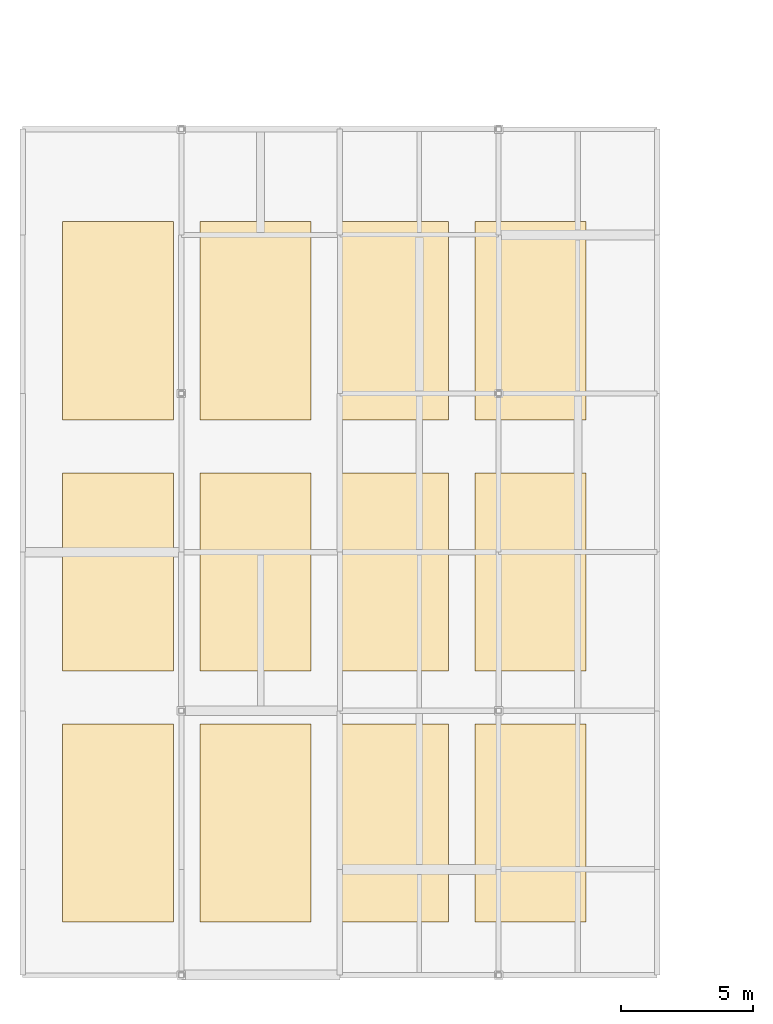
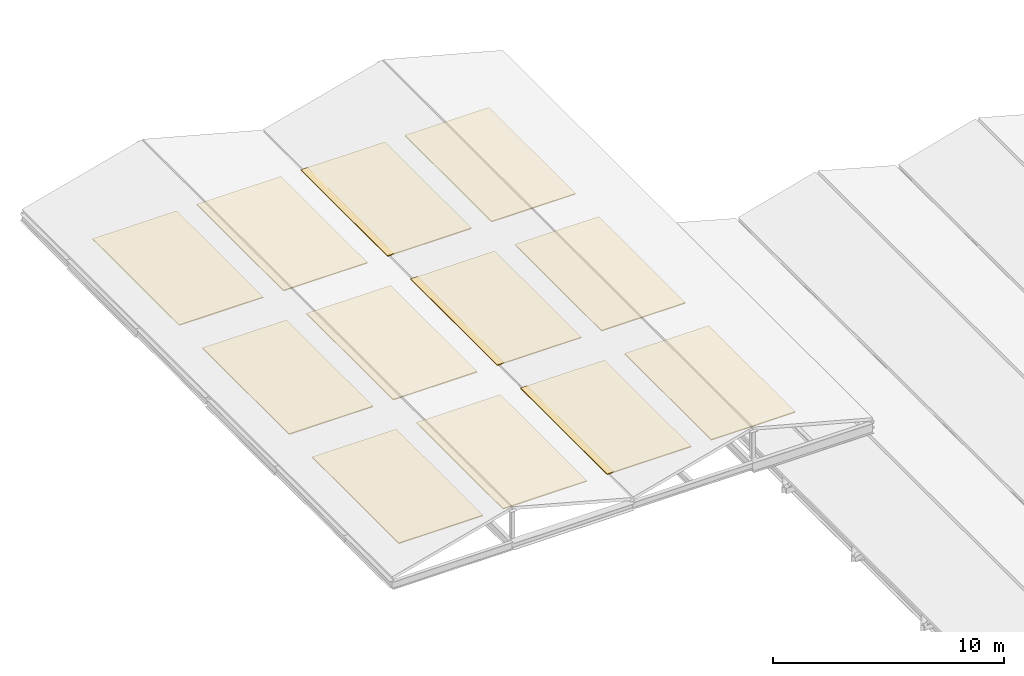
# One storey, part 27 of 27: 12 coverings.
"""IFC4 building model written with IfcOpenShell, lengths in metres."""

from ifc_helpers import new_model, si_unit, direction, frame, origin, place, context, subcontext, project, spatial, polyline, outline, extrude, material, layer, layer_set, type_object, element, save


model = new_model("IFC4")

# Units and contexts
model_context = context("Model", 3, precision=1e-05, world=origin(), true_north=direction((0.0, 1.0)))
body_context = subcontext(model_context, "Body", "Model", "MODEL_VIEW")
ifc_project = project(units=[si_unit("LENGTHUNIT", "METRE"), si_unit("AREAUNIT", "SQUARE_METRE"), si_unit("VOLUMEUNIT", "CUBIC_METRE"), si_unit("PLANEANGLEUNIT", "RADIAN"), si_unit("MASSUNIT", "GRAM", prefix="KILO")], contexts=[model_context])

# Site, building, storey
site_placement = place(None, origin())
site = spatial("IfcSite", under=ifc_project, at=site_placement, CompositionType="ELEMENT")
building_placement = place(site_placement, origin())
building = spatial("IfcBuilding", under=site, at=building_placement, Name="Verrall Gate Interchange", CompositionType="ELEMENT")
storey_placement = place(building_placement, frame((0.0, 0.0, 32.800048828125)))
storey = spatial("IfcBuildingStorey", under=building, at=storey_placement, Name="RF", CompositionType="ELEMENT", Elevation=32.800048828125)

# Coverings
ifc_material = material(Name="Pre-Patinated Standing-Seam Architectural Copper Roofing", Category="metal")
ifc_layer = layer(ifc_material, 0.050048828125)
ifc_layer_set = layer_set([ifc_layer], Name="Pre-Patinated Standing-Seam Architectural Copper Roofing")
covering_type = type_object("IfcCoveringType", Name="RFG-01 Patinated Copper Standing-Seam Roofing", PredefinedType="ROOFING", material=ifc_layer_set)
covering_1_placement = place(storey_placement, origin())
element("IfcCovering", 1, at=covering_1_placement, inside=storey, type_object=covering_type, Name="RF Standing-Seam Copper Roof Panel 01", PredefinedType="ROOFING", context=body_context, shape_type="SweptSolid", body=[
    extrude(outline(polyline([(7.5, 14.0), (11.699951171875, 14.0), (11.699951171875, 21.5), (7.5, 21.5), (7.5, 14.0)])), origin(), (0.0, 0.0, 1.0), 0.050048828125),
])
covering_2_placement = place(storey_placement, origin())
element("IfcCovering", 2, at=covering_2_placement, inside=storey, type_object=covering_type, Name="RF Standing-Seam Copper Roof Panel 02", PredefinedType="ROOFING", context=body_context, shape_type="SweptSolid", body=[
    extrude(outline(polyline([(12.699951171875, 14.0), (16.89990234375, 14.0), (16.89990234375, 21.5), (12.699951171875, 21.5), (12.699951171875, 14.0)])), origin(), (0.0, 0.0, 1.0), 0.050048828125),
])
covering_3_placement = place(storey_placement, origin())
element("IfcCovering", 3, at=covering_3_placement, inside=storey, type_object=covering_type, Name="RF Standing-Seam Copper Roof Panel 03", PredefinedType="ROOFING", context=body_context, shape_type="SweptSolid", body=[
    extrude(outline(polyline([(17.89990234375, 14.0), (22.10009765625, 14.0), (22.10009765625, 21.5), (17.89990234375, 21.5), (17.89990234375, 14.0)])), origin(), (0.0, 0.0, 1.0), 0.050048828125),
])
covering_4_placement = place(storey_placement, origin())
element("IfcCovering", 4, at=covering_4_placement, inside=storey, type_object=covering_type, Name="RF Standing-Seam Copper Roof Panel 04", PredefinedType="ROOFING", context=body_context, shape_type="SweptSolid", body=[
    extrude(outline(polyline([(23.10009765625, 14.0), (27.300048828125, 14.0), (27.300048828125, 21.5), (23.10009765625, 21.5), (23.10009765625, 14.0)])), origin(), (0.0, 0.0, 1.0), 0.050048828125),
])
covering_5_placement = place(storey_placement, origin())
element("IfcCovering", 5, at=covering_5_placement, inside=storey, type_object=covering_type, Name="RF Standing-Seam Copper Roof Panel 05", PredefinedType="ROOFING", context=body_context, shape_type="SweptSolid", body=[
    extrude(outline(polyline([(7.5, 23.5), (11.699951171875, 23.5), (11.699951171875, 31.0), (7.5, 31.0), (7.5, 23.5)])), origin(), (0.0, 0.0, 1.0), 0.050048828125),
])
covering_6_placement = place(storey_placement, origin())
element("IfcCovering", 6, at=covering_6_placement, inside=storey, type_object=covering_type, Name="RF Standing-Seam Copper Roof Panel 06", PredefinedType="ROOFING", context=body_context, shape_type="SweptSolid", body=[
    extrude(outline(polyline([(12.699951171875, 23.5), (16.89990234375, 23.5), (16.89990234375, 31.0), (12.699951171875, 31.0), (12.699951171875, 23.5)])), origin(), (0.0, 0.0, 1.0), 0.050048828125),
])
covering_7_placement = place(storey_placement, origin())
element("IfcCovering", 7, at=covering_7_placement, inside=storey, type_object=covering_type, Name="RF Standing-Seam Copper Roof Panel 07", PredefinedType="ROOFING", context=body_context, shape_type="SweptSolid", body=[
    extrude(outline(polyline([(17.89990234375, 23.5), (22.10009765625, 23.5), (22.10009765625, 31.0), (17.89990234375, 31.0), (17.89990234375, 23.5)])), origin(), (0.0, 0.0, 1.0), 0.050048828125),
])
covering_8_placement = place(storey_placement, origin())
element("IfcCovering", 8, at=covering_8_placement, inside=storey, type_object=covering_type, Name="RF Standing-Seam Copper Roof Panel 08", PredefinedType="ROOFING", context=body_context, shape_type="SweptSolid", body=[
    extrude(outline(polyline([(23.10009765625, 23.5), (27.300048828125, 23.5), (27.300048828125, 31.0), (23.10009765625, 31.0), (23.10009765625, 23.5)])), origin(), (0.0, 0.0, 1.0), 0.050048828125),
])
covering_9_placement = place(storey_placement, origin())
element("IfcCovering", 9, at=covering_9_placement, inside=storey, type_object=covering_type, Name="RF Standing-Seam Copper Roof Panel 09", PredefinedType="ROOFING", context=body_context, shape_type="SweptSolid", body=[
    extrude(outline(polyline([(7.5, 33.0), (11.699951171875, 33.0), (11.699951171875, 40.5), (7.5, 40.5), (7.5, 33.0)])), origin(), (0.0, 0.0, 1.0), 0.050048828125),
])
covering_10_placement = place(storey_placement, origin())
element("IfcCovering", 10, at=covering_10_placement, inside=storey, type_object=covering_type, Name="RF Standing-Seam Copper Roof Panel 10", PredefinedType="ROOFING", context=body_context, shape_type="SweptSolid", body=[
    extrude(outline(polyline([(12.699951171875, 33.0), (16.89990234375, 33.0), (16.89990234375, 40.5), (12.699951171875, 40.5), (12.699951171875, 33.0)])), origin(), (0.0, 0.0, 1.0), 0.050048828125),
])
covering_11_placement = place(storey_placement, origin())
element("IfcCovering", 11, at=covering_11_placement, inside=storey, type_object=covering_type, Name="RF Standing-Seam Copper Roof Panel 11", PredefinedType="ROOFING", context=body_context, shape_type="SweptSolid", body=[
    extrude(outline(polyline([(17.89990234375, 33.0), (22.10009765625, 33.0), (22.10009765625, 40.5), (17.89990234375, 40.5), (17.89990234375, 33.0)])), origin(), (0.0, 0.0, 1.0), 0.050048828125),
])
covering_12_placement = place(storey_placement, origin())
element("IfcCovering", 12, at=covering_12_placement, inside=storey, type_object=covering_type, Name="RF Standing-Seam Copper Roof Panel 12", PredefinedType="ROOFING", context=body_context, shape_type="SweptSolid", body=[
    extrude(outline(polyline([(23.10009765625, 33.0), (27.300048828125, 33.0), (27.300048828125, 40.5), (23.10009765625, 40.5), (23.10009765625, 33.0)])), origin(), (0.0, 0.0, 1.0), 0.050048828125),
])

save(model, "model.ifc")
